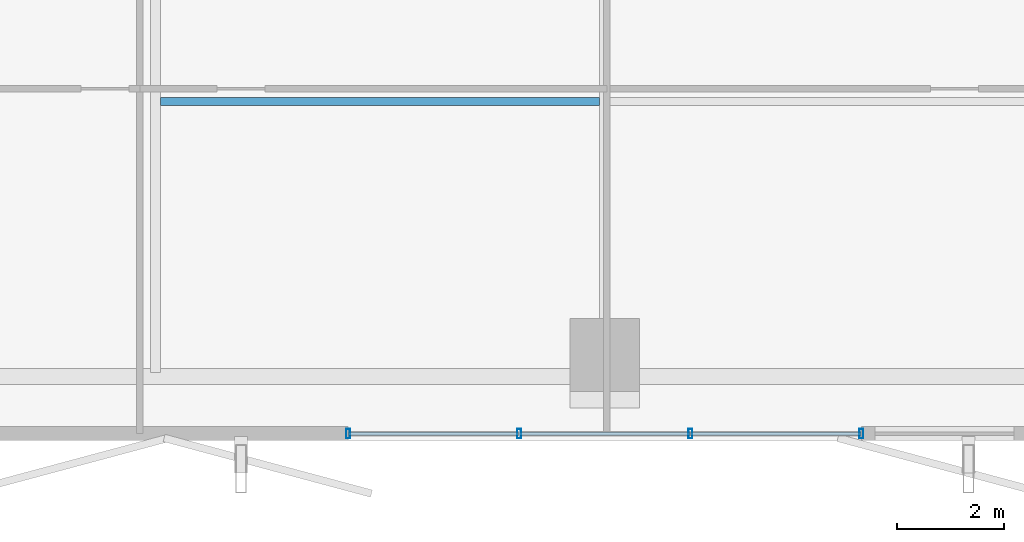
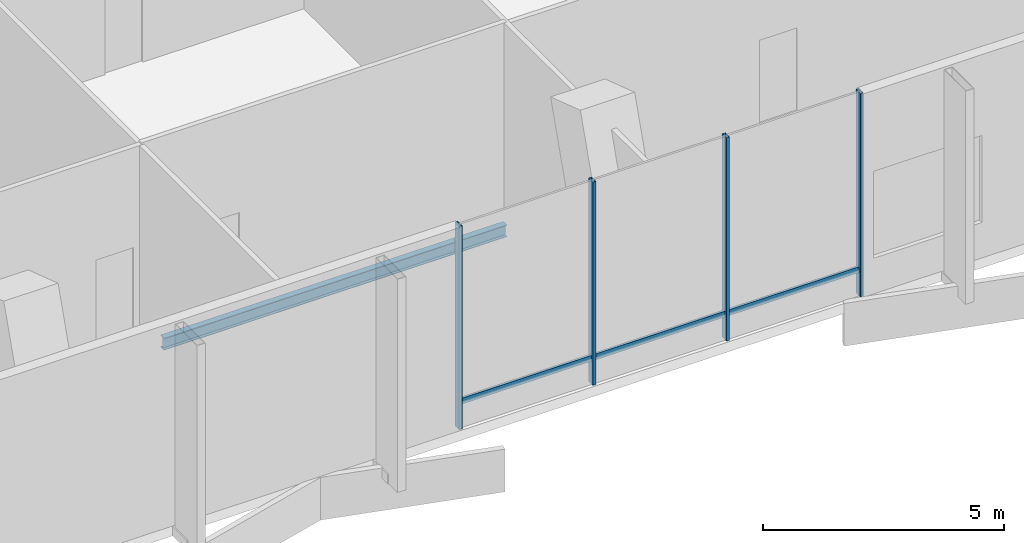
# One storey, part 4 of 28: 7 members, 1 beam, 1 element without a shape of its own.
"""IFC4 building model written with IfcOpenShell, lengths in metres."""

from ifc_helpers import new_model, si_unit, direction, frame, origin, origin_2d, place, context, subcontext, project, spatial, hollow_rectangle, i_section, extrude, material, layer, layer_set, material_profile, profile_set, type_object, element, aggregate, save


model = new_model("IFC4")

# Units and contexts
model_context = context("Model", 3, precision=1e-05, world=origin(), true_north=direction((0.0, 1.0)))
body_context = subcontext(model_context, "Body", "Model", "MODEL_VIEW")
ifc_project = project(units=[si_unit("LENGTHUNIT", "METRE"), si_unit("AREAUNIT", "SQUARE_METRE"), si_unit("VOLUMEUNIT", "CUBIC_METRE"), si_unit("PLANEANGLEUNIT", "RADIAN"), si_unit("MASSUNIT", "GRAM", prefix="KILO")], contexts=[model_context])

# Site, building, storey
site_placement = place(None, origin())
site = spatial("IfcSite", under=ifc_project, at=site_placement, CompositionType="ELEMENT")
building_placement = place(site_placement, origin())
building = spatial("IfcBuilding", under=site, at=building_placement, Name="Belovzor Exchange Tower", CompositionType="ELEMENT")
storey_placement = place(building_placement, frame((0.0, 0.0, 132.89990234375)))
storey = spatial("IfcBuildingStorey", under=building, at=storey_placement, Name="L32", CompositionType="ELEMENT", Elevation=132.89990234375)

# Beam
ifc_material_1 = material(Name="Steel S355", Category="steel")
ifc_material_profile_1 = material_profile(ifc_material_1, i_section(OverallWidth=0.14990234375, OverallDepth=0.300048828125, WebThickness=0.007080078125, FlangeThickness=0.0107421875, at=origin_2d()))
ifc_profile_set_1 = profile_set([ifc_material_profile_1], Name="Steel S355")
beam_type = type_object("IfcBeamType", Name="Secondary Trim Floor Joist IPE 300", PredefinedType="BEAM", material=ifc_profile_set_1)
beam_placement = place(storey_placement, frame((20.4951171875, 9.0390625, -0.39990234375), z_axis=(1.0, 0.0, 0.0), x_axis=(0.0, 1.0, 0.0)))
element("IfcBeam", 1, at=beam_placement, inside=storey, type_object=beam_type, Name="FJ-300 Secondary Trim Floor Joist IPE 300", PredefinedType="BEAM", context=body_context, shape_type="SweptSolid", body=[
    extrude(i_section(OverallWidth=0.14990234375, OverallDepth=0.300048828125, WebThickness=0.007080078125, FlangeThickness=0.0107421875, at=origin_2d()), origin(), (0.0, 0.0, 1.0), 8.2099609375),
])

# Curtain wall, members
ifc_material_2 = material(Name="Anodised Aluminium Framing", Category="aluminium")
ifc_layer = layer(ifc_material_2, 0.239990234375)
ifc_layer_set = layer_set([ifc_layer], Name="Anodised Aluminium Framing")
curtain_wall_type = type_object("IfcCurtainWallType", Name="Sky-Lobby Double-Skin Acoustic Curtain Wall", PredefinedType="NOTDEFINED", material=ifc_layer_set)
curtain_wall_placement = place(storey_placement, origin())
curtain_wall = element("IfcCurtainWall", 2, at=curtain_wall_placement, inside=storey, type_object=curtain_wall_type, Name="CW4 Sky-Lobby Double-Skin Acoustic Curtain Wall L32", PredefinedType="NOTDEFINED")
ifc_material_3 = material(Name="Steel S355", Category="steel")
ifc_material_profile_2 = material_profile(ifc_material_3, hollow_rectangle(XDim=0.074951171875, YDim=0.179931640625, WallThickness=0.0048828125, at=origin_2d()))
ifc_profile_set_2 = profile_set([ifc_material_profile_2], Name="Steel S355")
member_type_1 = type_object("IfcMemberType", Name="Thermally Broken Curtain Wall Mullion 180x75", PredefinedType="MULLION", material=ifc_profile_set_2)
member_1_placement = place(storey_placement, frame((33.60009765625, 2.830078125, 0.0), z_axis=(0.0, 0.0, 1.0), x_axis=(-1.0, 0.0, 0.0)))
member_1 = element("IfcMember", 3, at=member_1_placement, type_object=member_type_1, Name="CW-M180 Curtain Wall Mullion 1", PredefinedType="MULLION", context=body_context, shape_type="SweptSolid", body=[
    extrude(hollow_rectangle(XDim=0.074951171875, YDim=0.179931640625, WallThickness=0.0048828125, at=origin_2d()), origin(), (0.0, 0.0, 1.0), 5.14501953125),
])
member_2_placement = place(storey_placement, frame((30.39990234375, 2.830078125, 0.0), z_axis=(0.0, 0.0, 1.0), x_axis=(-1.0, 0.0, 0.0)))
member_2 = element("IfcMember", 4, at=member_2_placement, type_object=member_type_1, Name="CW-M180 Curtain Wall Mullion 2", PredefinedType="MULLION", context=body_context, shape_type="SweptSolid", body=[
    extrude(hollow_rectangle(XDim=0.074951171875, YDim=0.179931640625, WallThickness=0.0048828125, at=origin_2d()), origin(), (0.0, 0.0, 1.0), 5.14501953125),
])
member_3_placement = place(storey_placement, frame((27.199951171875, 2.830078125, 0.0), z_axis=(0.0, 0.0, 1.0), x_axis=(-1.0, 0.0, 0.0)))
member_3 = element("IfcMember", 5, at=member_3_placement, type_object=member_type_1, Name="CW-M180 Curtain Wall Mullion 3", PredefinedType="MULLION", context=body_context, shape_type="SweptSolid", body=[
    extrude(hollow_rectangle(XDim=0.074951171875, YDim=0.179931640625, WallThickness=0.0048828125, at=origin_2d()), origin(), (0.0, 0.0, 1.0), 5.14501953125),
])
member_4_placement = place(storey_placement, frame((24.0, 2.830078125, 0.0), z_axis=(0.0, 0.0, 1.0), x_axis=(-1.0, 0.0, 0.0)))
member_4 = element("IfcMember", 6, at=member_4_placement, type_object=member_type_1, Name="CW-M180 Curtain Wall Mullion 4", PredefinedType="MULLION", context=body_context, shape_type="SweptSolid", body=[
    extrude(hollow_rectangle(XDim=0.074951171875, YDim=0.179931640625, WallThickness=0.0048828125, at=origin_2d()), origin(), (0.0, 0.0, 1.0), 5.14501953125),
])
ifc_material_4 = material(Name="Steel S355", Category="steel")
ifc_material_profile_3 = material_profile(ifc_material_4, hollow_rectangle(XDim=0.06005859375, YDim=0.14990234375, WallThickness=0.00390625, at=origin_2d()))
ifc_profile_set_3 = profile_set([ifc_material_profile_3], Name="Steel S355")
member_type_2 = type_object("IfcMemberType", Name="Thermally Broken Curtain Wall Transom 150x60", PredefinedType="USERDEFINED", material=ifc_profile_set_3)
member_5_placement = place(storey_placement, frame((33.592041015625, 2.830078125, 0.650146484375), z_axis=(-1.0, 0.0, 0.0), x_axis=(0.0, -1.0, 0.0)))
member_5 = element("IfcMember", 7, at=member_5_placement, type_object=member_type_2, Name="CW-T150 Curtain Wall Transom 1", ObjectType="TRANSOM", PredefinedType="USERDEFINED", context=body_context, shape_type="SweptSolid", body=[
    extrude(hollow_rectangle(XDim=0.06005859375, YDim=0.14990234375, WallThickness=0.00390625, at=origin_2d()), origin(), (0.0, 0.0, 1.0), 3.18408203125),
])
member_6_placement = place(storey_placement, frame((30.39208984375, 2.830078125, 0.650146484375), z_axis=(-1.0, 0.0, 0.0), x_axis=(0.0, -1.0, 0.0)))
member_6 = element("IfcMember", 8, at=member_6_placement, type_object=member_type_2, Name="CW-T150 Curtain Wall Transom 2", ObjectType="TRANSOM", PredefinedType="USERDEFINED", context=body_context, shape_type="SweptSolid", body=[
    extrude(hollow_rectangle(XDim=0.06005859375, YDim=0.14990234375, WallThickness=0.00390625, at=origin_2d()), origin(), (0.0, 0.0, 1.0), 3.18408203125),
])
member_7_placement = place(storey_placement, frame((27.19189453125, 2.830078125, 0.650146484375), z_axis=(-1.0, 0.0, 0.0), x_axis=(0.0, -1.0, 0.0)))
member_7 = element("IfcMember", 9, at=member_7_placement, type_object=member_type_2, Name="CW-T150 Curtain Wall Transom 3", ObjectType="TRANSOM", PredefinedType="USERDEFINED", context=body_context, shape_type="SweptSolid", body=[
    extrude(hollow_rectangle(XDim=0.06005859375, YDim=0.14990234375, WallThickness=0.00390625, at=origin_2d()), origin(), (0.0, 0.0, 1.0), 3.183837890625),
])
aggregate(curtain_wall, [member_1, member_2, member_3, member_4, member_5, member_6, member_7])

save(model, "model.ifc")
